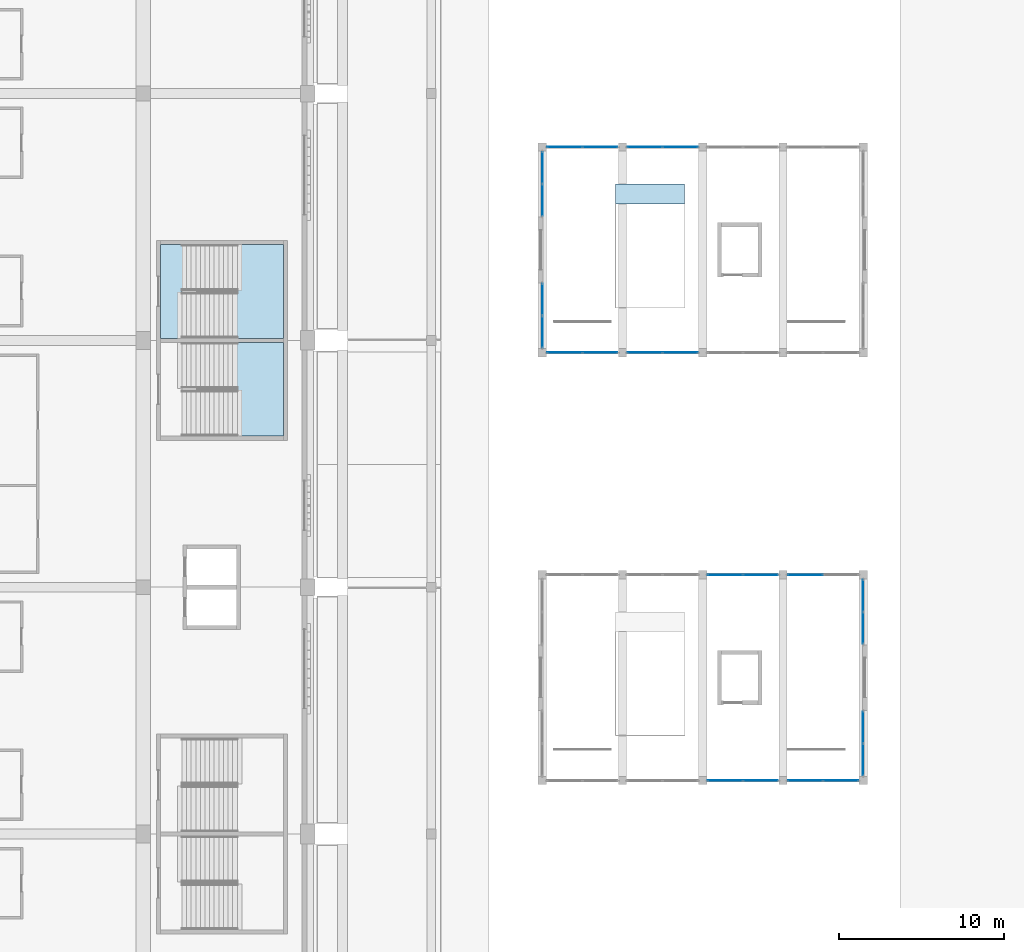
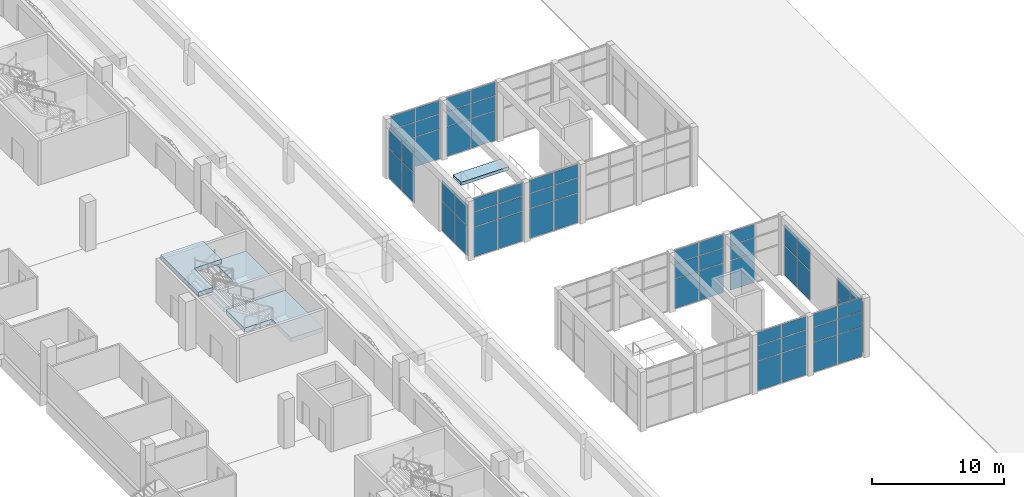
# One storey, part 19 of 175: 61 plates, 4 slabs, 14 elements without a shape of their own.
"""IFC4 building model written with IfcOpenShell, lengths in metres."""

from ifc_helpers import new_model, si_unit, direction, frame, origin, origin_2d, place, context, subcontext, project, spatial, polyline, rectangle, outline, extrude, material, layer, layer_set, type_object, element, aggregate, save


model = new_model("IFC4")

# Units and contexts
model_context = context("Model", 3, precision=1e-05, world=origin(), true_north=direction((0.0, 1.0)))
body_context = subcontext(model_context, "Body", "Model", "MODEL_VIEW")
ifc_project = project(units=[si_unit("LENGTHUNIT", "METRE"), si_unit("AREAUNIT", "SQUARE_METRE"), si_unit("VOLUMEUNIT", "CUBIC_METRE"), si_unit("PLANEANGLEUNIT", "RADIAN"), si_unit("MASSUNIT", "GRAM", prefix="KILO")], contexts=[model_context])

# Site, building, storey
site_placement = place(None, origin())
site = spatial("IfcSite", under=ifc_project, at=site_placement, CompositionType="ELEMENT")
building_placement = place(site_placement, origin())
building = spatial("IfcBuilding", under=site, at=building_placement, Name="Ogive Plaza Stadium", CompositionType="ELEMENT")
storey_placement = place(building_placement, origin())
storey = spatial("IfcBuildingStorey", under=building, at=storey_placement, Name="L00", CompositionType="ELEMENT", Elevation=0.0)

# Slab
ifc_material_1 = material(Name="Concrete C40/50", Category="concrete")
ifc_layer_1 = layer(ifc_material_1, 0.300048828125)
ifc_layer_set_1 = layer_set([ifc_layer_1], Name="Concrete C40/50")
slab_type_1 = type_object("IfcSlabType", Name="Escalator landing plate 300", PredefinedType="LANDING", material=ifc_layer_set_1)
slab_1_placement = place(storey_placement, frame((0.0, 0.0, -0.300048828125)))
element("IfcSlab", 1, at=slab_1_placement, inside=storey, type_object=slab_type_1, Name="Escalator landing plate", PredefinedType="LANDING", context=body_context, shape_type="SweptSolid", body=[
    extrude(outline(polyline([(102.699951171875, 15.800048828125), (106.89990234375, 15.800048828125), (106.89990234375, 17.0), (102.699951171875, 17.0), (102.699951171875, 15.800048828125)])), origin(), (0.0, 0.0, 1.0), 0.300048828125),
])

# Curtain wall, plates
ifc_material_2 = material(Name="Aluminium and laminated glass", Category="aluminium")
curtain_wall_type = type_object("IfcCurtainWallType", Name="Headhouse curtain wall", PredefinedType="NOTDEFINED", material=ifc_material_2)
curtain_wall_1_placement = place(storey_placement, origin())
curtain_wall_1 = element("IfcCurtainWall", 2, at=curtain_wall_1_placement, inside=storey, type_object=curtain_wall_type, Name="Headhouse 1 curtain wall", PredefinedType="NOTDEFINED")
ifc_material_3 = material(Name="Laminated glass", Category="glass")
ifc_layer_2 = layer(ifc_material_3, 0.028076171875)
ifc_layer_set_2 = layer_set([ifc_layer_2], Name="Headhouse glass panel 28")
plate_type = type_object("IfcPlateType", Name="Headhouse glass panel 28", PredefinedType="CURTAIN_PANEL", material=ifc_layer_set_2)
plate_1_placement = place(storey_placement, frame((109.358642578125, -19.25, 0.06005859375), z_axis=(0.0, 0.0, 1.0), x_axis=(1.0, 0.0, 0.0)))
plate_1 = element("IfcPlate", 3, at=plate_1_placement, type_object=plate_type, Name="HCW1A panel 1.1", PredefinedType="CURTAIN_PANEL", context=body_context, shape_type="SweptSolid", body=[
    extrude(rectangle(XDim=2.097412109375, YDim=0.028076171875, at=origin_2d()), origin(), (0.0, 0.0, 1.0), 2.7099609375),
])
plate_2_placement = place(storey_placement, frame((109.358642578125, -19.25, 2.830078125), z_axis=(0.0, 0.0, 1.0), x_axis=(1.0, 0.0, 0.0)))
plate_2 = element("IfcPlate", 4, at=plate_2_placement, type_object=plate_type, Name="HCW1A panel 1.2", PredefinedType="CURTAIN_PANEL", context=body_context, shape_type="SweptSolid", body=[
    extrude(rectangle(XDim=2.097412109375, YDim=0.028076171875, at=origin_2d()), origin(), (0.0, 0.0, 1.0), 1.340087890625),
])
plate_3_placement = place(storey_placement, frame((109.358642578125, -19.25, 4.22998046875), z_axis=(0.0, 0.0, 1.0), x_axis=(1.0, 0.0, 0.0)))
plate_3 = element("IfcPlate", 5, at=plate_3_placement, type_object=plate_type, Name="HCW1A panel 1.3", PredefinedType="CURTAIN_PANEL", context=body_context, shape_type="SweptSolid", body=[
    extrude(rectangle(XDim=2.097412109375, YDim=0.028076171875, at=origin_2d()), origin(), (0.0, 0.0, 1.0), 1.2099609375),
])
plate_4_placement = place(storey_placement, frame((111.516357421875, -19.25, 0.06005859375), z_axis=(0.0, 0.0, 1.0), x_axis=(1.0, 0.0, 0.0)))
plate_4 = element("IfcPlate", 6, at=plate_4_placement, type_object=plate_type, Name="HCW1A panel 2.1", PredefinedType="CURTAIN_PANEL", context=body_context, shape_type="SweptSolid", body=[
    extrude(rectangle(XDim=2.097412109375, YDim=0.028076171875, at=origin_2d()), origin(), (0.0, 0.0, 1.0), 2.7099609375),
])
plate_5_placement = place(storey_placement, frame((111.516357421875, -19.25, 2.830078125), z_axis=(0.0, 0.0, 1.0), x_axis=(1.0, 0.0, 0.0)))
plate_5 = element("IfcPlate", 7, at=plate_5_placement, type_object=plate_type, Name="HCW1A panel 2.2", PredefinedType="CURTAIN_PANEL", context=body_context, shape_type="SweptSolid", body=[
    extrude(rectangle(XDim=2.097412109375, YDim=0.028076171875, at=origin_2d()), origin(), (0.0, 0.0, 1.0), 1.340087890625),
])
plate_6_placement = place(storey_placement, frame((111.516357421875, -19.25, 4.22998046875), z_axis=(0.0, 0.0, 1.0), x_axis=(1.0, 0.0, 0.0)))
plate_6 = element("IfcPlate", 8, at=plate_6_placement, type_object=plate_type, Name="HCW1A panel 2.3", PredefinedType="CURTAIN_PANEL", context=body_context, shape_type="SweptSolid", body=[
    extrude(rectangle(XDim=2.097412109375, YDim=0.028076171875, at=origin_2d()), origin(), (0.0, 0.0, 1.0), 1.2099609375),
])
aggregate(curtain_wall_1, [plate_1, plate_2, plate_3, plate_4, plate_5, plate_6])

curtain_wall_2_placement = place(storey_placement, origin())
curtain_wall_2 = element("IfcCurtainWall", 9, at=curtain_wall_2_placement, inside=storey, type_object=curtain_wall_type, Name="Headhouse 1 curtain wall", PredefinedType="NOTDEFINED")
plate_7_placement = place(storey_placement, frame((114.233642578125, -19.25, 0.06005859375), z_axis=(0.0, 0.0, 1.0), x_axis=(1.0, 0.0, 0.0)))
plate_7 = element("IfcPlate", 10, at=plate_7_placement, type_object=plate_type, Name="HCW1A panel 1.1", PredefinedType="CURTAIN_PANEL", context=body_context, shape_type="SweptSolid", body=[
    extrude(rectangle(XDim=2.097412109375, YDim=0.028076171875, at=origin_2d()), origin(), (0.0, 0.0, 1.0), 2.7099609375),
])
plate_8_placement = place(storey_placement, frame((114.233642578125, -19.25, 2.830078125), z_axis=(0.0, 0.0, 1.0), x_axis=(1.0, 0.0, 0.0)))
plate_8 = element("IfcPlate", 11, at=plate_8_placement, type_object=plate_type, Name="HCW1A panel 1.2", PredefinedType="CURTAIN_PANEL", context=body_context, shape_type="SweptSolid", body=[
    extrude(rectangle(XDim=2.097412109375, YDim=0.028076171875, at=origin_2d()), origin(), (0.0, 0.0, 1.0), 1.340087890625),
])
plate_9_placement = place(storey_placement, frame((114.233642578125, -19.25, 4.22998046875), z_axis=(0.0, 0.0, 1.0), x_axis=(1.0, 0.0, 0.0)))
plate_9 = element("IfcPlate", 12, at=plate_9_placement, type_object=plate_type, Name="HCW1A panel 1.3", PredefinedType="CURTAIN_PANEL", context=body_context, shape_type="SweptSolid", body=[
    extrude(rectangle(XDim=2.097412109375, YDim=0.028076171875, at=origin_2d()), origin(), (0.0, 0.0, 1.0), 1.2099609375),
])
plate_10_placement = place(storey_placement, frame((116.391357421875, -19.25, 0.06005859375), z_axis=(0.0, 0.0, 1.0), x_axis=(1.0, 0.0, 0.0)))
plate_10 = element("IfcPlate", 13, at=plate_10_placement, type_object=plate_type, Name="HCW1A panel 2.1", PredefinedType="CURTAIN_PANEL", context=body_context, shape_type="SweptSolid", body=[
    extrude(rectangle(XDim=2.097412109375, YDim=0.028076171875, at=origin_2d()), origin(), (0.0, 0.0, 1.0), 2.7099609375),
])
plate_11_placement = place(storey_placement, frame((116.391357421875, -19.25, 2.830078125), z_axis=(0.0, 0.0, 1.0), x_axis=(1.0, 0.0, 0.0)))
plate_11 = element("IfcPlate", 14, at=plate_11_placement, type_object=plate_type, Name="HCW1A panel 2.2", PredefinedType="CURTAIN_PANEL", context=body_context, shape_type="SweptSolid", body=[
    extrude(rectangle(XDim=2.097412109375, YDim=0.028076171875, at=origin_2d()), origin(), (0.0, 0.0, 1.0), 1.340087890625),
])
plate_12_placement = place(storey_placement, frame((116.391357421875, -19.25, 4.22998046875), z_axis=(0.0, 0.0, 1.0), x_axis=(1.0, 0.0, 0.0)))
plate_12 = element("IfcPlate", 15, at=plate_12_placement, type_object=plate_type, Name="HCW1A panel 2.3", PredefinedType="CURTAIN_PANEL", context=body_context, shape_type="SweptSolid", body=[
    extrude(rectangle(XDim=2.097412109375, YDim=0.028076171875, at=origin_2d()), origin(), (0.0, 0.0, 1.0), 1.2099609375),
])
aggregate(curtain_wall_2, [plate_7, plate_8, plate_9, plate_10, plate_11, plate_12])

curtain_wall_3_placement = place(storey_placement, origin())
curtain_wall_3 = element("IfcCurtainWall", 16, at=curtain_wall_3_placement, inside=storey, type_object=curtain_wall_type, Name="Headhouse 1 curtain wall", PredefinedType="NOTDEFINED")
plate_13_placement = place(storey_placement, frame((109.358642578125, -6.75, 0.06005859375), z_axis=(0.0, 0.0, 1.0), x_axis=(1.0, 0.0, 0.0)))
plate_13 = element("IfcPlate", 17, at=plate_13_placement, type_object=plate_type, Name="HCW1A panel 1.1", PredefinedType="CURTAIN_PANEL", context=body_context, shape_type="SweptSolid", body=[
    extrude(rectangle(XDim=2.097412109375, YDim=0.028076171875, at=origin_2d()), origin(), (0.0, 0.0, 1.0), 2.7099609375),
])
plate_14_placement = place(storey_placement, frame((109.358642578125, -6.75, 2.830078125), z_axis=(0.0, 0.0, 1.0), x_axis=(1.0, 0.0, 0.0)))
plate_14 = element("IfcPlate", 18, at=plate_14_placement, type_object=plate_type, Name="HCW1A panel 1.2", PredefinedType="CURTAIN_PANEL", context=body_context, shape_type="SweptSolid", body=[
    extrude(rectangle(XDim=2.097412109375, YDim=0.028076171875, at=origin_2d()), origin(), (0.0, 0.0, 1.0), 1.340087890625),
])
plate_15_placement = place(storey_placement, frame((109.358642578125, -6.75, 4.22998046875), z_axis=(0.0, 0.0, 1.0), x_axis=(1.0, 0.0, 0.0)))
plate_15 = element("IfcPlate", 19, at=plate_15_placement, type_object=plate_type, Name="HCW1A panel 1.3", PredefinedType="CURTAIN_PANEL", context=body_context, shape_type="SweptSolid", body=[
    extrude(rectangle(XDim=2.097412109375, YDim=0.028076171875, at=origin_2d()), origin(), (0.0, 0.0, 1.0), 1.2099609375),
])
plate_16_placement = place(storey_placement, frame((111.516357421875, -6.75, 0.06005859375), z_axis=(0.0, 0.0, 1.0), x_axis=(1.0, 0.0, 0.0)))
plate_16 = element("IfcPlate", 20, at=plate_16_placement, type_object=plate_type, Name="HCW1A panel 2.1", PredefinedType="CURTAIN_PANEL", context=body_context, shape_type="SweptSolid", body=[
    extrude(rectangle(XDim=2.097412109375, YDim=0.028076171875, at=origin_2d()), origin(), (0.0, 0.0, 1.0), 2.7099609375),
])
plate_17_placement = place(storey_placement, frame((111.516357421875, -6.75, 2.830078125), z_axis=(0.0, 0.0, 1.0), x_axis=(1.0, 0.0, 0.0)))
plate_17 = element("IfcPlate", 21, at=plate_17_placement, type_object=plate_type, Name="HCW1A panel 2.2", PredefinedType="CURTAIN_PANEL", context=body_context, shape_type="SweptSolid", body=[
    extrude(rectangle(XDim=2.097412109375, YDim=0.028076171875, at=origin_2d()), origin(), (0.0, 0.0, 1.0), 1.340087890625),
])
plate_18_placement = place(storey_placement, frame((111.516357421875, -6.75, 4.22998046875), z_axis=(0.0, 0.0, 1.0), x_axis=(1.0, 0.0, 0.0)))
plate_18 = element("IfcPlate", 22, at=plate_18_placement, type_object=plate_type, Name="HCW1A panel 2.3", PredefinedType="CURTAIN_PANEL", context=body_context, shape_type="SweptSolid", body=[
    extrude(rectangle(XDim=2.097412109375, YDim=0.028076171875, at=origin_2d()), origin(), (0.0, 0.0, 1.0), 1.2099609375),
])
aggregate(curtain_wall_3, [plate_13, plate_14, plate_15, plate_16, plate_17, plate_18])

curtain_wall_4_placement = place(storey_placement, origin())
curtain_wall_4 = element("IfcCurtainWall", 23, at=curtain_wall_4_placement, inside=storey, type_object=curtain_wall_type, Name="Headhouse 1 curtain wall", PredefinedType="NOTDEFINED")
plate_19_placement = place(storey_placement, frame((114.233642578125, -6.75, 0.06005859375), z_axis=(0.0, 0.0, 1.0), x_axis=(1.0, 0.0, 0.0)))
plate_19 = element("IfcPlate", 24, at=plate_19_placement, type_object=plate_type, Name="HCW1A panel 1.1", PredefinedType="CURTAIN_PANEL", context=body_context, shape_type="SweptSolid", body=[
    extrude(rectangle(XDim=2.097412109375, YDim=0.028076171875, at=origin_2d()), origin(), (0.0, 0.0, 1.0), 2.7099609375),
])
plate_20_placement = place(storey_placement, frame((114.233642578125, -6.75, 2.830078125), z_axis=(0.0, 0.0, 1.0), x_axis=(1.0, 0.0, 0.0)))
plate_20 = element("IfcPlate", 25, at=plate_20_placement, type_object=plate_type, Name="HCW1A panel 1.2", PredefinedType="CURTAIN_PANEL", context=body_context, shape_type="SweptSolid", body=[
    extrude(rectangle(XDim=2.097412109375, YDim=0.028076171875, at=origin_2d()), origin(), (0.0, 0.0, 1.0), 1.340087890625),
])
plate_21_placement = place(storey_placement, frame((114.233642578125, -6.75, 4.22998046875), z_axis=(0.0, 0.0, 1.0), x_axis=(1.0, 0.0, 0.0)))
plate_21 = element("IfcPlate", 26, at=plate_21_placement, type_object=plate_type, Name="HCW1A panel 1.3", PredefinedType="CURTAIN_PANEL", context=body_context, shape_type="SweptSolid", body=[
    extrude(rectangle(XDim=2.097412109375, YDim=0.028076171875, at=origin_2d()), origin(), (0.0, 0.0, 1.0), 1.2099609375),
])
aggregate(curtain_wall_4, [plate_19, plate_20, plate_21])

curtain_wall_5_placement = place(storey_placement, origin())
curtain_wall_5 = element("IfcCurtainWall", 27, at=curtain_wall_5_placement, inside=storey, type_object=curtain_wall_type, Name="Headhouse 1 curtain wall", PredefinedType="NOTDEFINED")
plate_22_placement = place(storey_placement, frame((117.75, -17.985107421875, 0.06005859375), z_axis=(0.0, 0.0, 1.0), x_axis=(0.0, 1.0, 0.0)))
plate_22 = element("IfcPlate", 28, at=plate_22_placement, type_object=plate_type, Name="HCW1B panel 1.1", PredefinedType="CURTAIN_PANEL", context=body_context, shape_type="SweptSolid", body=[
    extrude(rectangle(XDim=1.909912109375, YDim=0.028076171875, at=origin_2d()), origin(), (0.0, 0.0, 1.0), 2.7099609375),
])
plate_23_placement = place(storey_placement, frame((117.75, -17.985107421875, 2.830078125), z_axis=(0.0, 0.0, 1.0), x_axis=(0.0, 1.0, 0.0)))
plate_23 = element("IfcPlate", 29, at=plate_23_placement, type_object=plate_type, Name="HCW1B panel 1.2", PredefinedType="CURTAIN_PANEL", context=body_context, shape_type="SweptSolid", body=[
    extrude(rectangle(XDim=1.909912109375, YDim=0.028076171875, at=origin_2d()), origin(), (0.0, 0.0, 1.0), 1.909912109375),
])
plate_24_placement = place(storey_placement, frame((117.75, -16.014892578125, 0.06005859375), z_axis=(0.0, 0.0, 1.0), x_axis=(0.0, 1.0, 0.0)))
plate_24 = element("IfcPlate", 30, at=plate_24_placement, type_object=plate_type, Name="HCW1B panel 2.1", PredefinedType="CURTAIN_PANEL", context=body_context, shape_type="SweptSolid", body=[
    extrude(rectangle(XDim=1.909912109375, YDim=0.028076171875, at=origin_2d()), origin(), (0.0, 0.0, 1.0), 2.7099609375),
])
plate_25_placement = place(storey_placement, frame((117.75, -16.014892578125, 2.830078125), z_axis=(0.0, 0.0, 1.0), x_axis=(0.0, 1.0, 0.0)))
plate_25 = element("IfcPlate", 31, at=plate_25_placement, type_object=plate_type, Name="HCW1B panel 2.2", PredefinedType="CURTAIN_PANEL", context=body_context, shape_type="SweptSolid", body=[
    extrude(rectangle(XDim=1.909912109375, YDim=0.028076171875, at=origin_2d()), origin(), (0.0, 0.0, 1.0), 1.909912109375),
])
aggregate(curtain_wall_5, [plate_22, plate_23, plate_24, plate_25])

curtain_wall_6_placement = place(storey_placement, origin())
curtain_wall_6 = element("IfcCurtainWall", 32, at=curtain_wall_6_placement, inside=storey, type_object=curtain_wall_type, Name="Headhouse 1 curtain wall", PredefinedType="NOTDEFINED")
plate_26_placement = place(storey_placement, frame((117.75, -9.985107421875, 0.06005859375), z_axis=(0.0, 0.0, 1.0), x_axis=(0.0, 1.0, 0.0)))
plate_26 = element("IfcPlate", 33, at=plate_26_placement, type_object=plate_type, Name="HCW1B panel 1.1", PredefinedType="CURTAIN_PANEL", context=body_context, shape_type="SweptSolid", body=[
    extrude(rectangle(XDim=1.909912109375, YDim=0.028076171875, at=origin_2d()), origin(), (0.0, 0.0, 1.0), 2.7099609375),
])
plate_27_placement = place(storey_placement, frame((117.75, -9.985107421875, 2.830078125), z_axis=(0.0, 0.0, 1.0), x_axis=(0.0, 1.0, 0.0)))
plate_27 = element("IfcPlate", 34, at=plate_27_placement, type_object=plate_type, Name="HCW1B panel 1.2", PredefinedType="CURTAIN_PANEL", context=body_context, shape_type="SweptSolid", body=[
    extrude(rectangle(XDim=1.909912109375, YDim=0.028076171875, at=origin_2d()), origin(), (0.0, 0.0, 1.0), 1.909912109375),
])
plate_28_placement = place(storey_placement, frame((117.75, -8.014892578125, 0.06005859375), z_axis=(0.0, 0.0, 1.0), x_axis=(0.0, 1.0, 0.0)))
plate_28 = element("IfcPlate", 35, at=plate_28_placement, type_object=plate_type, Name="HCW1B panel 2.1", PredefinedType="CURTAIN_PANEL", context=body_context, shape_type="SweptSolid", body=[
    extrude(rectangle(XDim=1.909912109375, YDim=0.028076171875, at=origin_2d()), origin(), (0.0, 0.0, 1.0), 2.7099609375),
])
plate_29_placement = place(storey_placement, frame((117.75, -8.014892578125, 2.830078125), z_axis=(0.0, 0.0, 1.0), x_axis=(0.0, 1.0, 0.0)))
plate_29 = element("IfcPlate", 36, at=plate_29_placement, type_object=plate_type, Name="HCW1B panel 2.2", PredefinedType="CURTAIN_PANEL", context=body_context, shape_type="SweptSolid", body=[
    extrude(rectangle(XDim=1.909912109375, YDim=0.028076171875, at=origin_2d()), origin(), (0.0, 0.0, 1.0), 1.909912109375),
])
aggregate(curtain_wall_6, [plate_26, plate_27, plate_28, plate_29])

curtain_wall_7_placement = place(storey_placement, origin())
curtain_wall_7 = element("IfcCurtainWall", 37, at=curtain_wall_7_placement, inside=storey, type_object=curtain_wall_type, Name="Headhouse 2 curtain wall", PredefinedType="NOTDEFINED")
plate_30_placement = place(storey_placement, frame((99.608642578125, 6.75, 0.06005859375), z_axis=(0.0, 0.0, 1.0), x_axis=(1.0, 0.0, 0.0)))
plate_30 = element("IfcPlate", 38, at=plate_30_placement, type_object=plate_type, Name="HCW2A panel 1.1", PredefinedType="CURTAIN_PANEL", context=body_context, shape_type="SweptSolid", body=[
    extrude(rectangle(XDim=2.097412109375, YDim=0.028076171875, at=origin_2d()), origin(), (0.0, 0.0, 1.0), 2.7099609375),
])
plate_31_placement = place(storey_placement, frame((99.608642578125, 6.75, 2.830078125), z_axis=(0.0, 0.0, 1.0), x_axis=(1.0, 0.0, 0.0)))
plate_31 = element("IfcPlate", 39, at=plate_31_placement, type_object=plate_type, Name="HCW2A panel 1.2", PredefinedType="CURTAIN_PANEL", context=body_context, shape_type="SweptSolid", body=[
    extrude(rectangle(XDim=2.097412109375, YDim=0.028076171875, at=origin_2d()), origin(), (0.0, 0.0, 1.0), 1.340087890625),
])
plate_32_placement = place(storey_placement, frame((99.608642578125, 6.75, 4.22998046875), z_axis=(0.0, 0.0, 1.0), x_axis=(1.0, 0.0, 0.0)))
plate_32 = element("IfcPlate", 40, at=plate_32_placement, type_object=plate_type, Name="HCW2A panel 1.3", PredefinedType="CURTAIN_PANEL", context=body_context, shape_type="SweptSolid", body=[
    extrude(rectangle(XDim=2.097412109375, YDim=0.028076171875, at=origin_2d()), origin(), (0.0, 0.0, 1.0), 1.2099609375),
])
plate_33_placement = place(storey_placement, frame((101.766357421875, 6.75, 0.06005859375), z_axis=(0.0, 0.0, 1.0), x_axis=(1.0, 0.0, 0.0)))
plate_33 = element("IfcPlate", 41, at=plate_33_placement, type_object=plate_type, Name="HCW2A panel 2.1", PredefinedType="CURTAIN_PANEL", context=body_context, shape_type="SweptSolid", body=[
    extrude(rectangle(XDim=2.097412109375, YDim=0.028076171875, at=origin_2d()), origin(), (0.0, 0.0, 1.0), 2.7099609375),
])
plate_34_placement = place(storey_placement, frame((101.766357421875, 6.75, 2.830078125), z_axis=(0.0, 0.0, 1.0), x_axis=(1.0, 0.0, 0.0)))
plate_34 = element("IfcPlate", 42, at=plate_34_placement, type_object=plate_type, Name="HCW2A panel 2.2", PredefinedType="CURTAIN_PANEL", context=body_context, shape_type="SweptSolid", body=[
    extrude(rectangle(XDim=2.097412109375, YDim=0.028076171875, at=origin_2d()), origin(), (0.0, 0.0, 1.0), 1.340087890625),
])
plate_35_placement = place(storey_placement, frame((101.766357421875, 6.75, 4.22998046875), z_axis=(0.0, 0.0, 1.0), x_axis=(1.0, 0.0, 0.0)))
plate_35 = element("IfcPlate", 43, at=plate_35_placement, type_object=plate_type, Name="HCW2A panel 2.3", PredefinedType="CURTAIN_PANEL", context=body_context, shape_type="SweptSolid", body=[
    extrude(rectangle(XDim=2.097412109375, YDim=0.028076171875, at=origin_2d()), origin(), (0.0, 0.0, 1.0), 1.2099609375),
])
aggregate(curtain_wall_7, [plate_30, plate_31, plate_32, plate_33, plate_34, plate_35])

curtain_wall_8_placement = place(storey_placement, origin())
curtain_wall_8 = element("IfcCurtainWall", 44, at=curtain_wall_8_placement, inside=storey, type_object=curtain_wall_type, Name="Headhouse 2 curtain wall", PredefinedType="NOTDEFINED")
plate_36_placement = place(storey_placement, frame((104.483642578125, 6.75, 0.06005859375), z_axis=(0.0, 0.0, 1.0), x_axis=(1.0, 0.0, 0.0)))
plate_36 = element("IfcPlate", 45, at=plate_36_placement, type_object=plate_type, Name="HCW2A panel 1.1", PredefinedType="CURTAIN_PANEL", context=body_context, shape_type="SweptSolid", body=[
    extrude(rectangle(XDim=2.097412109375, YDim=0.028076171875, at=origin_2d()), origin(), (0.0, 0.0, 1.0), 2.7099609375),
])
plate_37_placement = place(storey_placement, frame((104.483642578125, 6.75, 2.830078125), z_axis=(0.0, 0.0, 1.0), x_axis=(1.0, 0.0, 0.0)))
plate_37 = element("IfcPlate", 46, at=plate_37_placement, type_object=plate_type, Name="HCW2A panel 1.2", PredefinedType="CURTAIN_PANEL", context=body_context, shape_type="SweptSolid", body=[
    extrude(rectangle(XDim=2.097412109375, YDim=0.028076171875, at=origin_2d()), origin(), (0.0, 0.0, 1.0), 1.340087890625),
])
plate_38_placement = place(storey_placement, frame((104.483642578125, 6.75, 4.22998046875), z_axis=(0.0, 0.0, 1.0), x_axis=(1.0, 0.0, 0.0)))
plate_38 = element("IfcPlate", 47, at=plate_38_placement, type_object=plate_type, Name="HCW2A panel 1.3", PredefinedType="CURTAIN_PANEL", context=body_context, shape_type="SweptSolid", body=[
    extrude(rectangle(XDim=2.097412109375, YDim=0.028076171875, at=origin_2d()), origin(), (0.0, 0.0, 1.0), 1.2099609375),
])
plate_39_placement = place(storey_placement, frame((106.641357421875, 6.75, 0.06005859375), z_axis=(0.0, 0.0, 1.0), x_axis=(1.0, 0.0, 0.0)))
plate_39 = element("IfcPlate", 48, at=plate_39_placement, type_object=plate_type, Name="HCW2A panel 2.1", PredefinedType="CURTAIN_PANEL", context=body_context, shape_type="SweptSolid", body=[
    extrude(rectangle(XDim=2.097412109375, YDim=0.028076171875, at=origin_2d()), origin(), (0.0, 0.0, 1.0), 2.7099609375),
])
plate_40_placement = place(storey_placement, frame((106.641357421875, 6.75, 2.830078125), z_axis=(0.0, 0.0, 1.0), x_axis=(1.0, 0.0, 0.0)))
plate_40 = element("IfcPlate", 49, at=plate_40_placement, type_object=plate_type, Name="HCW2A panel 2.2", PredefinedType="CURTAIN_PANEL", context=body_context, shape_type="SweptSolid", body=[
    extrude(rectangle(XDim=2.097412109375, YDim=0.028076171875, at=origin_2d()), origin(), (0.0, 0.0, 1.0), 1.340087890625),
])
plate_41_placement = place(storey_placement, frame((106.641357421875, 6.75, 4.22998046875), z_axis=(0.0, 0.0, 1.0), x_axis=(1.0, 0.0, 0.0)))
plate_41 = element("IfcPlate", 50, at=plate_41_placement, type_object=plate_type, Name="HCW2A panel 2.3", PredefinedType="CURTAIN_PANEL", context=body_context, shape_type="SweptSolid", body=[
    extrude(rectangle(XDim=2.097412109375, YDim=0.028076171875, at=origin_2d()), origin(), (0.0, 0.0, 1.0), 1.2099609375),
])
aggregate(curtain_wall_8, [plate_36, plate_37, plate_38, plate_39, plate_40, plate_41])

curtain_wall_9_placement = place(storey_placement, origin())
curtain_wall_9 = element("IfcCurtainWall", 51, at=curtain_wall_9_placement, inside=storey, type_object=curtain_wall_type, Name="Headhouse 2 curtain wall", PredefinedType="NOTDEFINED")
plate_42_placement = place(storey_placement, frame((99.608642578125, 19.25, 0.06005859375), z_axis=(0.0, 0.0, 1.0), x_axis=(1.0, 0.0, 0.0)))
plate_42 = element("IfcPlate", 52, at=plate_42_placement, type_object=plate_type, Name="HCW2A panel 1.1", PredefinedType="CURTAIN_PANEL", context=body_context, shape_type="SweptSolid", body=[
    extrude(rectangle(XDim=2.097412109375, YDim=0.028076171875, at=origin_2d()), origin(), (0.0, 0.0, 1.0), 2.7099609375),
])
plate_43_placement = place(storey_placement, frame((99.608642578125, 19.25, 2.830078125), z_axis=(0.0, 0.0, 1.0), x_axis=(1.0, 0.0, 0.0)))
plate_43 = element("IfcPlate", 53, at=plate_43_placement, type_object=plate_type, Name="HCW2A panel 1.2", PredefinedType="CURTAIN_PANEL", context=body_context, shape_type="SweptSolid", body=[
    extrude(rectangle(XDim=2.097412109375, YDim=0.028076171875, at=origin_2d()), origin(), (0.0, 0.0, 1.0), 1.340087890625),
])
plate_44_placement = place(storey_placement, frame((99.608642578125, 19.25, 4.22998046875), z_axis=(0.0, 0.0, 1.0), x_axis=(1.0, 0.0, 0.0)))
plate_44 = element("IfcPlate", 54, at=plate_44_placement, type_object=plate_type, Name="HCW2A panel 1.3", PredefinedType="CURTAIN_PANEL", context=body_context, shape_type="SweptSolid", body=[
    extrude(rectangle(XDim=2.097412109375, YDim=0.028076171875, at=origin_2d()), origin(), (0.0, 0.0, 1.0), 1.2099609375),
])
plate_45_placement = place(storey_placement, frame((101.766357421875, 19.25, 0.06005859375), z_axis=(0.0, 0.0, 1.0), x_axis=(1.0, 0.0, 0.0)))
plate_45 = element("IfcPlate", 55, at=plate_45_placement, type_object=plate_type, Name="HCW2A panel 2.1", PredefinedType="CURTAIN_PANEL", context=body_context, shape_type="SweptSolid", body=[
    extrude(rectangle(XDim=2.097412109375, YDim=0.028076171875, at=origin_2d()), origin(), (0.0, 0.0, 1.0), 2.7099609375),
])
plate_46_placement = place(storey_placement, frame((101.766357421875, 19.25, 2.830078125), z_axis=(0.0, 0.0, 1.0), x_axis=(1.0, 0.0, 0.0)))
plate_46 = element("IfcPlate", 56, at=plate_46_placement, type_object=plate_type, Name="HCW2A panel 2.2", PredefinedType="CURTAIN_PANEL", context=body_context, shape_type="SweptSolid", body=[
    extrude(rectangle(XDim=2.097412109375, YDim=0.028076171875, at=origin_2d()), origin(), (0.0, 0.0, 1.0), 1.340087890625),
])
plate_47_placement = place(storey_placement, frame((101.766357421875, 19.25, 4.22998046875), z_axis=(0.0, 0.0, 1.0), x_axis=(1.0, 0.0, 0.0)))
plate_47 = element("IfcPlate", 57, at=plate_47_placement, type_object=plate_type, Name="HCW2A panel 2.3", PredefinedType="CURTAIN_PANEL", context=body_context, shape_type="SweptSolid", body=[
    extrude(rectangle(XDim=2.097412109375, YDim=0.028076171875, at=origin_2d()), origin(), (0.0, 0.0, 1.0), 1.2099609375),
])
aggregate(curtain_wall_9, [plate_42, plate_43, plate_44, plate_45, plate_46, plate_47])

curtain_wall_10_placement = place(storey_placement, origin())
curtain_wall_10 = element("IfcCurtainWall", 58, at=curtain_wall_10_placement, inside=storey, type_object=curtain_wall_type, Name="Headhouse 2 curtain wall", PredefinedType="NOTDEFINED")
plate_48_placement = place(storey_placement, frame((104.483642578125, 19.25, 0.06005859375), z_axis=(0.0, 0.0, 1.0), x_axis=(1.0, 0.0, 0.0)))
plate_48 = element("IfcPlate", 59, at=plate_48_placement, type_object=plate_type, Name="HCW2A panel 1.1", PredefinedType="CURTAIN_PANEL", context=body_context, shape_type="SweptSolid", body=[
    extrude(rectangle(XDim=2.097412109375, YDim=0.028076171875, at=origin_2d()), origin(), (0.0, 0.0, 1.0), 2.7099609375),
])
plate_49_placement = place(storey_placement, frame((104.483642578125, 19.25, 2.830078125), z_axis=(0.0, 0.0, 1.0), x_axis=(1.0, 0.0, 0.0)))
plate_49 = element("IfcPlate", 60, at=plate_49_placement, type_object=plate_type, Name="HCW2A panel 1.2", PredefinedType="CURTAIN_PANEL", context=body_context, shape_type="SweptSolid", body=[
    extrude(rectangle(XDim=2.097412109375, YDim=0.028076171875, at=origin_2d()), origin(), (0.0, 0.0, 1.0), 1.340087890625),
])
plate_50_placement = place(storey_placement, frame((104.483642578125, 19.25, 4.22998046875), z_axis=(0.0, 0.0, 1.0), x_axis=(1.0, 0.0, 0.0)))
plate_50 = element("IfcPlate", 61, at=plate_50_placement, type_object=plate_type, Name="HCW2A panel 1.3", PredefinedType="CURTAIN_PANEL", context=body_context, shape_type="SweptSolid", body=[
    extrude(rectangle(XDim=2.097412109375, YDim=0.028076171875, at=origin_2d()), origin(), (0.0, 0.0, 1.0), 1.2099609375),
])
plate_51_placement = place(storey_placement, frame((106.641357421875, 19.25, 0.06005859375), z_axis=(0.0, 0.0, 1.0), x_axis=(1.0, 0.0, 0.0)))
plate_51 = element("IfcPlate", 62, at=plate_51_placement, type_object=plate_type, Name="HCW2A panel 2.1", PredefinedType="CURTAIN_PANEL", context=body_context, shape_type="SweptSolid", body=[
    extrude(rectangle(XDim=2.097412109375, YDim=0.028076171875, at=origin_2d()), origin(), (0.0, 0.0, 1.0), 2.7099609375),
])
plate_52_placement = place(storey_placement, frame((106.641357421875, 19.25, 2.830078125), z_axis=(0.0, 0.0, 1.0), x_axis=(1.0, 0.0, 0.0)))
plate_52 = element("IfcPlate", 63, at=plate_52_placement, type_object=plate_type, Name="HCW2A panel 2.2", PredefinedType="CURTAIN_PANEL", context=body_context, shape_type="SweptSolid", body=[
    extrude(rectangle(XDim=2.097412109375, YDim=0.028076171875, at=origin_2d()), origin(), (0.0, 0.0, 1.0), 1.340087890625),
])
plate_53_placement = place(storey_placement, frame((106.641357421875, 19.25, 4.22998046875), z_axis=(0.0, 0.0, 1.0), x_axis=(1.0, 0.0, 0.0)))
plate_53 = element("IfcPlate", 64, at=plate_53_placement, type_object=plate_type, Name="HCW2A panel 2.3", PredefinedType="CURTAIN_PANEL", context=body_context, shape_type="SweptSolid", body=[
    extrude(rectangle(XDim=2.097412109375, YDim=0.028076171875, at=origin_2d()), origin(), (0.0, 0.0, 1.0), 1.2099609375),
])
aggregate(curtain_wall_10, [plate_48, plate_49, plate_50, plate_51, plate_52, plate_53])

curtain_wall_11_placement = place(storey_placement, origin())
curtain_wall_11 = element("IfcCurtainWall", 65, at=curtain_wall_11_placement, inside=storey, type_object=curtain_wall_type, Name="Headhouse 2 curtain wall", PredefinedType="NOTDEFINED")
plate_54_placement = place(storey_placement, frame((98.25, 8.014892578125, 0.06005859375), z_axis=(0.0, 0.0, 1.0), x_axis=(0.0, 1.0, 0.0)))
plate_54 = element("IfcPlate", 66, at=plate_54_placement, type_object=plate_type, Name="HCW2B panel 1.1", PredefinedType="CURTAIN_PANEL", context=body_context, shape_type="SweptSolid", body=[
    extrude(rectangle(XDim=1.909912109375, YDim=0.028076171875, at=origin_2d()), origin(), (0.0, 0.0, 1.0), 2.7099609375),
])
plate_55_placement = place(storey_placement, frame((98.25, 8.014892578125, 2.830078125), z_axis=(0.0, 0.0, 1.0), x_axis=(0.0, 1.0, 0.0)))
plate_55 = element("IfcPlate", 67, at=plate_55_placement, type_object=plate_type, Name="HCW2B panel 1.2", PredefinedType="CURTAIN_PANEL", context=body_context, shape_type="SweptSolid", body=[
    extrude(rectangle(XDim=1.909912109375, YDim=0.028076171875, at=origin_2d()), origin(), (0.0, 0.0, 1.0), 1.909912109375),
])
plate_56_placement = place(storey_placement, frame((98.25, 9.985107421875, 0.06005859375), z_axis=(0.0, 0.0, 1.0), x_axis=(0.0, 1.0, 0.0)))
plate_56 = element("IfcPlate", 68, at=plate_56_placement, type_object=plate_type, Name="HCW2B panel 2.1", PredefinedType="CURTAIN_PANEL", context=body_context, shape_type="SweptSolid", body=[
    extrude(rectangle(XDim=1.909912109375, YDim=0.028076171875, at=origin_2d()), origin(), (0.0, 0.0, 1.0), 2.7099609375),
])
plate_57_placement = place(storey_placement, frame((98.25, 9.985107421875, 2.830078125), z_axis=(0.0, 0.0, 1.0), x_axis=(0.0, 1.0, 0.0)))
plate_57 = element("IfcPlate", 69, at=plate_57_placement, type_object=plate_type, Name="HCW2B panel 2.2", PredefinedType="CURTAIN_PANEL", context=body_context, shape_type="SweptSolid", body=[
    extrude(rectangle(XDim=1.909912109375, YDim=0.028076171875, at=origin_2d()), origin(), (0.0, 0.0, 1.0), 1.909912109375),
])
aggregate(curtain_wall_11, [plate_54, plate_55, plate_56, plate_57])

curtain_wall_12_placement = place(storey_placement, origin())
curtain_wall_12 = element("IfcCurtainWall", 70, at=curtain_wall_12_placement, inside=storey, type_object=curtain_wall_type, Name="Headhouse 2 curtain wall", PredefinedType="NOTDEFINED")
plate_58_placement = place(storey_placement, frame((98.25, 16.014892578125, 0.06005859375), z_axis=(0.0, 0.0, 1.0), x_axis=(0.0, 1.0, 0.0)))
plate_58 = element("IfcPlate", 71, at=plate_58_placement, type_object=plate_type, Name="HCW2B panel 1.1", PredefinedType="CURTAIN_PANEL", context=body_context, shape_type="SweptSolid", body=[
    extrude(rectangle(XDim=1.909912109375, YDim=0.028076171875, at=origin_2d()), origin(), (0.0, 0.0, 1.0), 2.7099609375),
])
plate_59_placement = place(storey_placement, frame((98.25, 16.014892578125, 2.830078125), z_axis=(0.0, 0.0, 1.0), x_axis=(0.0, 1.0, 0.0)))
plate_59 = element("IfcPlate", 72, at=plate_59_placement, type_object=plate_type, Name="HCW2B panel 1.2", PredefinedType="CURTAIN_PANEL", context=body_context, shape_type="SweptSolid", body=[
    extrude(rectangle(XDim=1.909912109375, YDim=0.028076171875, at=origin_2d()), origin(), (0.0, 0.0, 1.0), 1.909912109375),
])
plate_60_placement = place(storey_placement, frame((98.25, 17.985107421875, 0.06005859375), z_axis=(0.0, 0.0, 1.0), x_axis=(0.0, 1.0, 0.0)))
plate_60 = element("IfcPlate", 73, at=plate_60_placement, type_object=plate_type, Name="HCW2B panel 2.1", PredefinedType="CURTAIN_PANEL", context=body_context, shape_type="SweptSolid", body=[
    extrude(rectangle(XDim=1.909912109375, YDim=0.028076171875, at=origin_2d()), origin(), (0.0, 0.0, 1.0), 2.7099609375),
])
plate_61_placement = place(storey_placement, frame((98.25, 17.985107421875, 2.830078125), z_axis=(0.0, 0.0, 1.0), x_axis=(0.0, 1.0, 0.0)))
plate_61 = element("IfcPlate", 74, at=plate_61_placement, type_object=plate_type, Name="HCW2B panel 2.2", PredefinedType="CURTAIN_PANEL", context=body_context, shape_type="SweptSolid", body=[
    extrude(rectangle(XDim=1.909912109375, YDim=0.028076171875, at=origin_2d()), origin(), (0.0, 0.0, 1.0), 1.909912109375),
])
aggregate(curtain_wall_12, [plate_58, plate_59, plate_60, plate_61])

# Stair, slab
ifc_material_4 = material(Name="Concrete C40/50", Category="concrete")
stair_type = type_object("IfcStairType", Name="Exit stair", PredefinedType="STRAIGHT_RUN_STAIR", material=ifc_material_4)
stair_1_placement = place(storey_placement, origin())
stair_1 = element("IfcStair", 75, at=stair_1_placement, inside=storey, type_object=stair_type, Name="Exit stair ST04A L00 to L01", PredefinedType="STRAIGHT_RUN_STAIR")
ifc_material_5 = material(Name="Concrete C40/50", Category="concrete")
ifc_layer_3 = layer(ifc_material_5, 0.39990234375)
ifc_layer_set_3 = layer_set([ifc_layer_3], Name="Concrete C40/50")
slab_type_2 = type_object("IfcSlabType", Name="Stair landing", PredefinedType="LANDING", material=ifc_layer_set_3)
slab_2_placement = place(storey_placement, frame((0.0, 0.0, 1.85009765625)))
slab_2 = element("IfcSlab", 76, at=slab_2_placement, type_object=slab_type_2, Name="ST04A landing 1", PredefinedType="LANDING", context=body_context, shape_type="SweptSolid", body=[
    extrude(outline(polyline([(82.510009765625, 7.375), (82.510009765625, 1.675048828125), (79.7099609375, 1.675048828125), (79.7099609375, 4.574951171875), (77.31005859375, 4.574951171875), (77.31005859375, 7.375), (79.7099609375, 7.375), (82.510009765625, 7.375)])), origin(), (0.0, 0.0, 1.0), 0.39990234375),
])
aggregate(stair_1, [slab_2])

# Stair, slabs
stair_2_placement = place(storey_placement, origin())
stair_2 = element("IfcStair", 77, at=stair_2_placement, inside=storey, type_object=stair_type, Name="Exit stair ST04B L00 to L01", PredefinedType="STRAIGHT_RUN_STAIR")
slab_3_placement = place(storey_placement, frame((0.0, 0.0, 1.85009765625)))
slab_3 = element("IfcSlab", 78, at=slab_3_placement, type_object=slab_type_2, Name="ST04B landing 1", PredefinedType="LANDING", context=body_context, shape_type="SweptSolid", body=[
    extrude(outline(polyline([(77.31005859375, 7.625), (77.31005859375, 10.425048828125), (79.7099609375, 10.425048828125), (79.7099609375, 13.324951171875), (82.510009765625, 13.324951171875), (82.510009765625, 7.625), (79.7099609375, 7.625), (77.31005859375, 7.625)])), origin(), (0.0, 0.0, 1.0), 0.39990234375),
])
slab_4_placement = place(storey_placement, frame((0.0, 0.0, 4.10009765625)))
slab_4 = element("IfcSlab", 79, at=slab_4_placement, type_object=slab_type_2, Name="ST04B landing 2", PredefinedType="LANDING", context=body_context, shape_type="SweptSolid", body=[
    extrude(outline(polyline([(76.35009765625, 7.625), (75.050048828125, 7.625), (75.050048828125, 13.324951171875), (76.35009765625, 13.324951171875), (78.75, 13.324951171875), (78.75, 10.52490234375), (76.35009765625, 10.52490234375), (76.35009765625, 7.625)])), origin(), (0.0, 0.0, 1.0), 0.39990234375),
])
aggregate(stair_2, [slab_3, slab_4])

save(model, "model.ifc")
